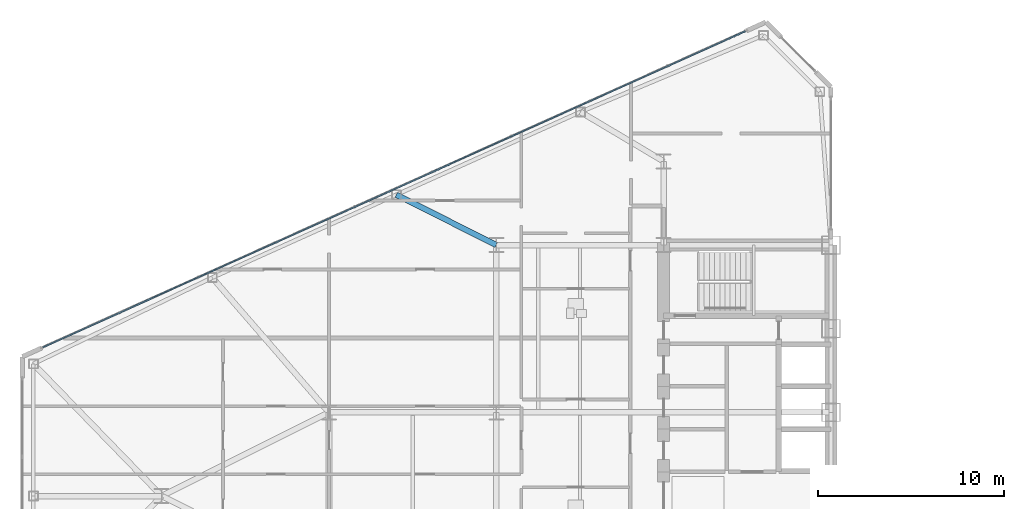
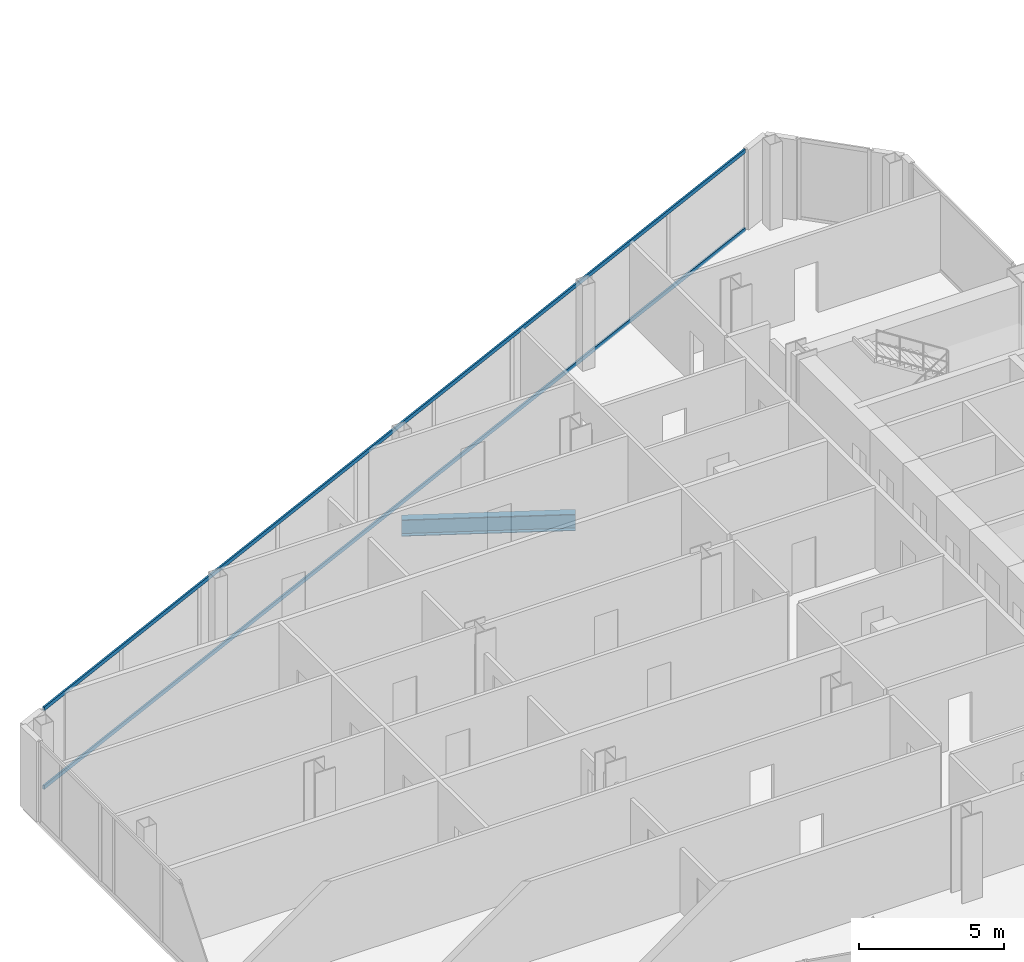
# One storey, part 8 of 27: 2 members, 1 beam, 1 element without a shape of its own.
"""IFC4 building model written with IfcOpenShell, lengths in metres."""

from ifc_helpers import new_model, si_unit, direction, frame, origin, origin_2d, place, context, subcontext, project, spatial, rectangle, i_section, extrude, source, transform, mapped, material, layer, layer_set, material_profile, profile_set, type_object, type_shapes, element, aggregate, save


model = new_model("IFC4")

# Units and contexts
model_context = context("Model", 3, precision=1e-05, world=origin(), true_north=direction((0.0, 1.0)))
body_context = subcontext(model_context, "Body", "Model", "MODEL_VIEW")
ifc_project = project(units=[si_unit("LENGTHUNIT", "METRE"), si_unit("AREAUNIT", "SQUARE_METRE"), si_unit("VOLUMEUNIT", "CUBIC_METRE"), si_unit("PLANEANGLEUNIT", "RADIAN"), si_unit("MASSUNIT", "GRAM", prefix="KILO")], contexts=[model_context])

# Site, building, storey
site_placement = place(None, origin())
site = spatial("IfcSite", under=ifc_project, at=site_placement, CompositionType="ELEMENT")
building_placement = place(site_placement, origin())
building = spatial("IfcBuilding", under=site, at=building_placement, Name="Seokmaru Belvedere", CompositionType="ELEMENT")
storey_placement = place(building_placement, frame((0.0, 0.0, 99.60009765625)))
storey = spatial("IfcBuildingStorey", under=building, at=storey_placement, Name="L26", CompositionType="ELEMENT", Elevation=99.60009765625)

# Beam
ifc_material_1 = material(Name="Steel SM355 (355 MPa)", Category="steel")
ifc_material_profile_1 = material_profile(ifc_material_1, i_section(OverallWidth=0.300048828125, OverallDepth=0.699951171875, WebThickness=0.012939453125, FlangeThickness=0.02392578125, at=origin_2d()), Name="H-700x300x13x24")
ifc_profile_set_1 = profile_set([ifc_material_profile_1], Name="Steel SM355 (355 MPa)")
beam_type = type_object("IfcBeamType", Name="Primary Floor Girder H-700", PredefinedType="BEAM", material=ifc_profile_set_1)
shared_shape_1 = source(origin(), body_context, "Body", "SweptSolid", [
    extrude(i_section(OverallWidth=0.300048828125, OverallDepth=0.699951171875, WebThickness=0.012939453125, FlangeThickness=0.02392578125, at=origin_2d()), origin(), (0.0, 0.0, 1.0), 6.017333984375),
])
type_shapes(beam_type, [shared_shape_1])
beam_placement = place(storey_placement, frame((-50.875, 16.205322265625, -0.570068359375), z_axis=(0.893239341975, -0.449581447512, 0.0), x_axis=(0.449581447512, 0.893239341975, 0.0)))
element("IfcBeam", 1, at=beam_placement, inside=storey, type_object=beam_type, Name="L26 W Flank Radial Floor Girder N-2", PredefinedType="BEAM", context=body_context, shape_type="MappedRepresentation", body=[
    mapped(shared_shape_1, transform((0.0, 0.0, 0.0), scale=1.0)),
])

# Curtain wall, members
ifc_material_2 = material(Name="Bronze Triple Insulating Glass", Category="glass")
ifc_layer = layer(ifc_material_2, 0.195068359375)
ifc_layer_set = layer_set([ifc_layer], Name="Bronze Triple Insulating Glass")
curtain_wall_type = type_object("IfcCurtainWallType", Name="Lower-Mid Tapered Curtain Wall System CW-3", PredefinedType="NOTDEFINED", material=ifc_layer_set)
curtain_wall_placement = place(storey_placement, origin())
curtain_wall = element("IfcCurtainWall", 2, at=curtain_wall_placement, inside=storey, type_object=curtain_wall_type, Name="L26 Curtain Wall WF3", PredefinedType="NOTDEFINED")
ifc_material_3 = material(Name="Anodised Bronze Aluminium", Category="aluminium")
ifc_material_profile_2 = material_profile(ifc_material_3, rectangle(XDim=0.070068359375, YDim=0.1650390625, at=origin_2d()), Name="CW-T-70x165")
ifc_profile_set_2 = profile_set([ifc_material_profile_2], Name="Anodised Bronze Aluminium")
member_type = type_object("IfcMemberType", Name="Bronze Unitised Transom 70x165", PredefinedType="USERDEFINED", material=ifc_profile_set_2)
shared_shape_2 = source(origin(), body_context, "Body", "SweptSolid", [
    extrude(rectangle(XDim=0.070068359375, YDim=0.1650390625, at=origin_2d()), origin(), (0.0, 0.0, 1.0), 41.423583984375),
])
type_shapes(member_type, [shared_shape_2])
member_1_placement = place(storey_placement, frame((-32.112548828125, 24.99951171875, 0.034912109375), z_axis=(-0.911918637916, -0.410371048956, 0.0), x_axis=(0.410371048956, -0.911918637916, 0.0)))
member_1 = element("IfcMember", 3, at=member_1_placement, type_object=member_type, Name="CW:L26:WF3 Continuous Transom 1", ObjectType="TRANSOM", PredefinedType="USERDEFINED", context=body_context, shape_type="MappedRepresentation", body=[
    mapped(shared_shape_2, transform((0.0, 0.0, 0.0), scale=1.0)),
])
member_2_placement = place(storey_placement, frame((-32.112548828125, 24.99951171875, 3.344970703125), z_axis=(-0.911918637916, -0.410371048956, 0.0), x_axis=(0.410371048956, -0.911918637916, 0.0)))
member_2 = element("IfcMember", 4, at=member_2_placement, type_object=member_type, Name="CW:L26:WF3 Continuous Transom 2", ObjectType="TRANSOM", PredefinedType="USERDEFINED", context=body_context, shape_type="MappedRepresentation", body=[
    mapped(shared_shape_2, transform((0.0, 0.0, 0.0), scale=1.0)),
])
aggregate(curtain_wall, [member_1, member_2])

save(model, "model.ifc")
